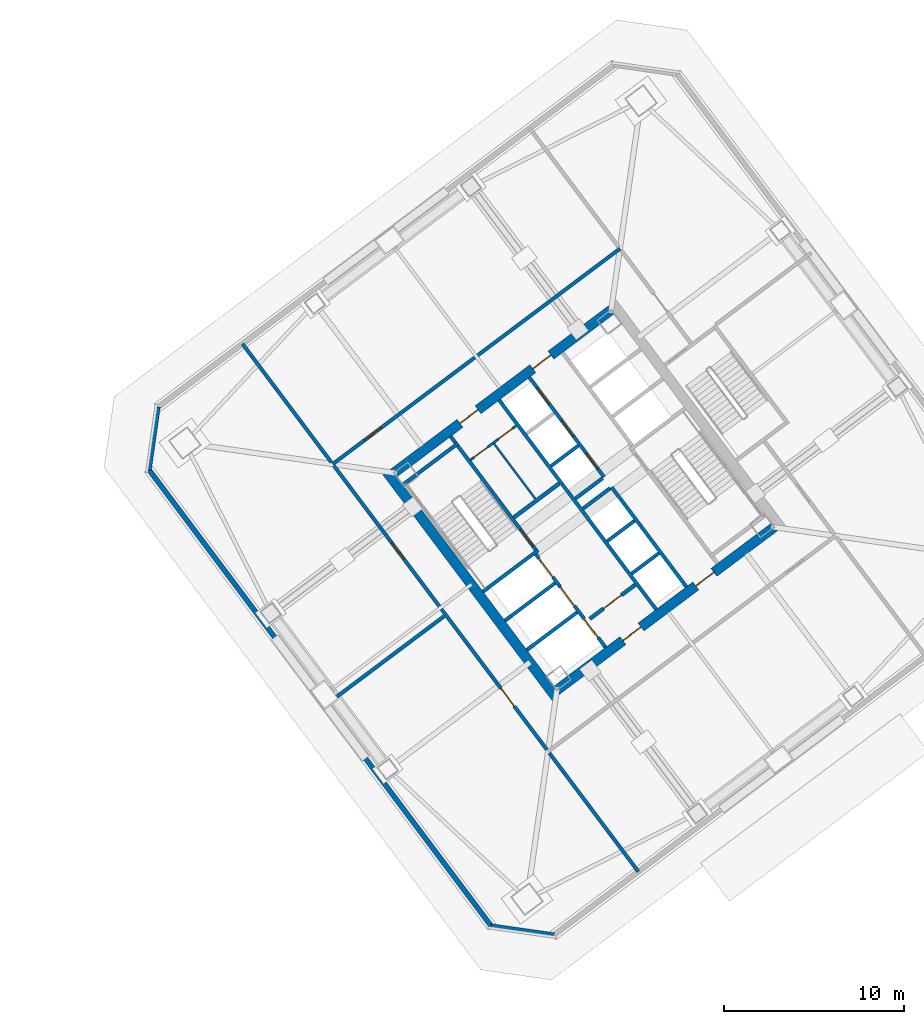
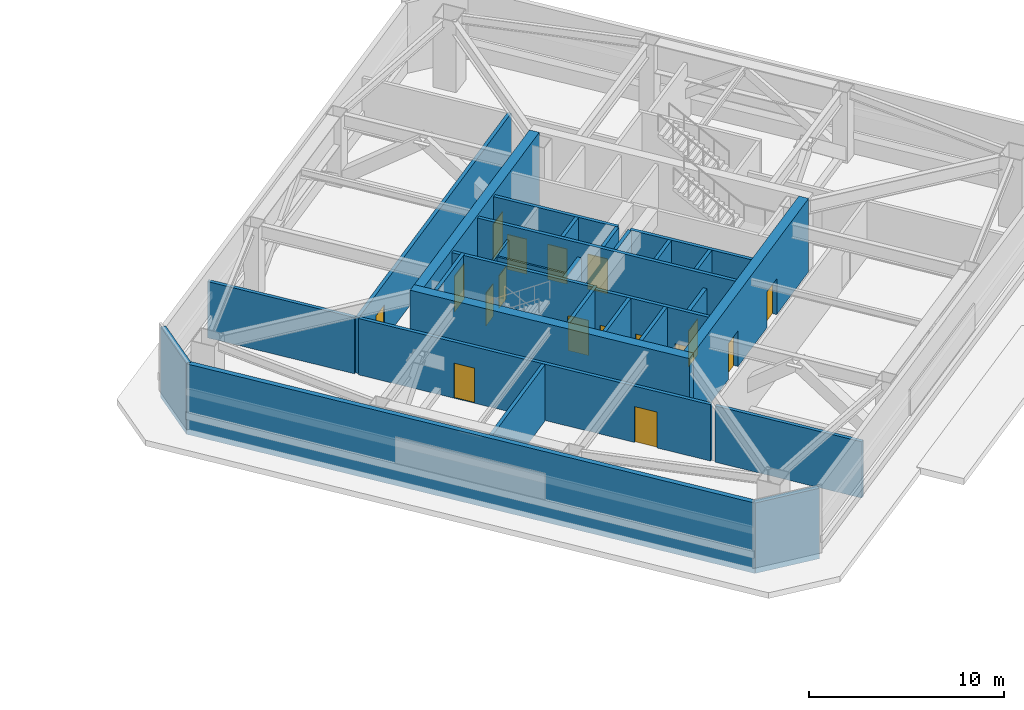
# One storey, part 7 of 15: 29 walls, 17 doors, 17 openings.
"""IFC4 building model written with IfcOpenShell, lengths in metres."""

from ifc_helpers import new_model, si_unit, direction, frame, frame_2d, origin, place, context, subcontext, project, spatial, rectangle, extrude, material, layer, layer_set, type_object, element, fill, save


model = new_model("IFC4")

# Units and contexts
model_context = context("Model", 3, precision=1e-05, world=origin(), true_north=direction((0.0, 1.0)))
body_context = subcontext(model_context, "Body", "Model", "MODEL_VIEW")
ifc_project = project(units=[si_unit("LENGTHUNIT", "METRE"), si_unit("AREAUNIT", "SQUARE_METRE"), si_unit("VOLUMEUNIT", "CUBIC_METRE"), si_unit("PLANEANGLEUNIT", "RADIAN"), si_unit("MASSUNIT", "GRAM", prefix="KILO")], contexts=[model_context])

# Site, building, storey
site_placement = place(None, origin())
site = spatial("IfcSite", under=ifc_project, at=site_placement, CompositionType="ELEMENT")
building_placement = place(site_placement, origin())
building = spatial("IfcBuilding", under=site, at=building_placement, Name="Tashvorn Skyway Center", CompositionType="ELEMENT")
storey_placement = place(building_placement, frame((0.0, 0.0, 109.800048828125)))
storey = spatial("IfcBuildingStorey", under=building, at=storey_placement, Name="L29", CompositionType="ELEMENT", Elevation=109.800048828125)

# Wall
ifc_material_1 = material(Name="Concrete C60/75", Category="concrete")
ifc_layer_1 = layer(ifc_material_1, 0.550048828125)
ifc_layer_set_1 = layer_set([ifc_layer_1], Name="Concrete C60/75")
wall_type_1 = type_object("IfcWallType", Name="WALL-CORE-550", PredefinedType="SHEAR", material=ifc_layer_set_1)
wall_1_placement = place(storey_placement, frame((112.43603515625, 21.076904296875, 0.0), z_axis=(0.0, 0.0, 1.0), x_axis=(-0.600005007985, 0.799996243986, 0.0)))
element("IfcWall", 1, at=wall_1_placement, inside=storey, type_object=wall_type_1, Name="Tower 2 L29 West Core Shear Wall", PredefinedType="SHEAR", context=body_context, shape_type="SweptSolid", body=[
    extrude(rectangle(XDim=15.60009765625, YDim=0.550048828125, at=frame_2d((7.800048828125, 0.0))), origin(), (0.0, 0.0, 1.0), 4.599853515625),
])

# Wall, openings, doors
wall_2_placement = place(storey_placement, frame((124.5390625, 30.498046875, 0.0), z_axis=(0.0, 0.0, 1.0), x_axis=(-0.799998054672, -0.600002593761, 0.0)))
wall_2 = element("IfcWall", 2, at=wall_2_placement, inside=storey, type_object=wall_type_1, Name="Tower 2 L29 South Core Shear Wall", PredefinedType="SHEAR", context=body_context, shape_type="SweptSolid", body=[
    extrude(rectangle(XDim=15.06005859375, YDim=0.550048828125, at=frame_2d((7.530029296875, 0.0))), origin(), (0.0, 0.0, 1.0), 4.599853515625),
])
opening_1_placement = place(wall_2_placement, frame((9.22998046875, 0.0, 0.0)))
opening_1 = element("IfcOpeningElement", 3, at=opening_1_placement, cuts=wall_2, Name="Opening D-FFL-1250", PredefinedType="OPENING", context=body_context, shape_type="SweptSolid", body=[
    extrude(rectangle(XDim=1.25, YDim=2.25, at=frame_2d((0.625, 1.125))), frame((0.0, 0.284912109375, 0.0), z_axis=(0.0, -1.0, 0.0), x_axis=(1.0, 0.0, 0.0)), (0.0, 0.0, 1.0), 0.570068359375),
])
opening_2_placement = place(wall_2_placement, frame((4.179931640625, 0.0, 0.0)))
opening_2 = element("IfcOpeningElement", 4, at=opening_2_placement, cuts=wall_2, Name="Opening D-FFL-1250", PredefinedType="OPENING", context=body_context, shape_type="SweptSolid", body=[
    extrude(rectangle(XDim=1.25, YDim=2.25, at=frame_2d((0.625, 1.125))), frame((0.0, 0.284912109375, 0.0), z_axis=(0.0, -1.0, 0.0), x_axis=(1.0, 0.0, 0.0)), (0.0, 0.0, 1.0), 0.570068359375),
])
ifc_material_2 = material(Name="Hollow galvanized steel fire door assembly", Category="steel")
door_type_1 = type_object("IfcDoorType", Name="DOOR-FFL-1250", OperationType="NOTDEFINED", PredefinedType="DOOR", material=ifc_material_2)
door_1_placement = place(opening_1_placement, origin())
door_1 = element("IfcDoor", 5, at=door_1_placement, inside=storey, type_object=door_type_1, Name="Tower 2 L29 Core South Firefighting Exit Door", OperationType="SINGLE_SWING_LEFT", OverallHeight=2.25, OverallWidth=1.25, PredefinedType="DOOR", context=body_context, shape_type="SweptSolid", body=[
    extrude(rectangle(XDim=1.25, YDim=2.25, at=frame_2d((0.625, 1.125))), frame((0.0, 0.02490234375, 0.0), z_axis=(0.0, -1.0, 0.0), x_axis=(1.0, 0.0, 0.0)), (0.0, 0.0, 1.0), 0.050048828125),
])
fill(opening_1, door_1)
door_2_placement = place(opening_2_placement, origin())
door_2 = element("IfcDoor", 6, at=door_2_placement, inside=storey, type_object=door_type_1, Name="Tower 2 L29 Core South Lift Lobby Door", OperationType="SINGLE_SWING_RIGHT", OverallHeight=2.25, OverallWidth=1.25, PredefinedType="DOOR", context=body_context, shape_type="SweptSolid", body=[
    extrude(rectangle(XDim=1.25, YDim=2.25, at=frame_2d((0.625, 1.125))), frame((0.0, 0.02490234375, 0.0), z_axis=(0.0, -1.0, 0.0), x_axis=(1.0, 0.0, 0.0)), (0.0, 0.0, 1.0), 0.050048828125),
])
fill(opening_2, door_2)

wall_3_placement = place(storey_placement, frame((103.4609375, 33.501953125, 0.0), z_axis=(0.0, 0.0, 1.0), x_axis=(0.799998054672, 0.600002593761, 0.0)))
wall_3 = element("IfcWall", 7, at=wall_3_placement, inside=storey, type_object=wall_type_1, Name="Tower 2 L29 North Core Shear Wall", PredefinedType="SHEAR", context=body_context, shape_type="SweptSolid", body=[
    extrude(rectangle(XDim=15.06005859375, YDim=0.550048828125, at=frame_2d((7.530029296875, 0.0))), origin(), (0.0, 0.0, 1.0), 4.599853515625),
])
opening_3_placement = place(wall_3_placement, frame((4.580078125, 0.0, 0.0)))
opening_3 = element("IfcOpeningElement", 8, at=opening_3_placement, cuts=wall_3, Name="Opening D-FFL-1250", PredefinedType="OPENING", context=body_context, shape_type="SweptSolid", body=[
    extrude(rectangle(XDim=1.25, YDim=2.25, at=frame_2d((0.625, 1.125))), frame((0.0, 0.284912109375, 0.0), z_axis=(0.0, -1.0, 0.0), x_axis=(1.0, 0.0, 0.0)), (0.0, 0.0, 1.0), 0.570068359375),
])
opening_4_placement = place(wall_3_placement, frame((9.6298828125, 0.0, 0.0)))
opening_4 = element("IfcOpeningElement", 9, at=opening_4_placement, cuts=wall_3, Name="Opening D-FFL-1250", PredefinedType="OPENING", context=body_context, shape_type="SweptSolid", body=[
    extrude(rectangle(XDim=1.25, YDim=2.25, at=frame_2d((0.625, 1.125))), frame((0.0, 0.284912109375, 0.0), z_axis=(0.0, -1.0, 0.0), x_axis=(1.0, 0.0, 0.0)), (0.0, 0.0, 1.0), 0.570068359375),
])
door_3_placement = place(opening_3_placement, origin())
door_3 = element("IfcDoor", 10, at=door_3_placement, inside=storey, type_object=door_type_1, Name="Tower 2 L29 Core North Service Lobby Door", OperationType="SINGLE_SWING_LEFT", OverallHeight=2.25, OverallWidth=1.25, PredefinedType="DOOR", context=body_context, shape_type="SweptSolid", body=[
    extrude(rectangle(XDim=1.25, YDim=2.25, at=frame_2d((0.625, 1.125))), frame((0.0, 0.02490234375, 0.0), z_axis=(0.0, -1.0, 0.0), x_axis=(1.0, 0.0, 0.0)), (0.0, 0.0, 1.0), 0.050048828125),
])
fill(opening_3, door_3)
door_4_placement = place(opening_4_placement, origin())
door_4 = element("IfcDoor", 11, at=door_4_placement, inside=storey, type_object=door_type_1, Name="Tower 2 L29 Core North Lift Lobby Door", OperationType="SINGLE_SWING_RIGHT", OverallHeight=2.25, OverallWidth=1.25, PredefinedType="DOOR", context=body_context, shape_type="SweptSolid", body=[
    extrude(rectangle(XDim=1.25, YDim=2.25, at=frame_2d((0.625, 1.125))), frame((0.0, 0.02490234375, 0.0), z_axis=(0.0, -1.0, 0.0), x_axis=(1.0, 0.0, 0.0)), (0.0, 0.0, 1.0), 0.050048828125),
])
fill(opening_4, door_4)

# Walls
ifc_material_3 = material(Name="Precast concrete C40/50", Category="concrete")
ifc_layer_2 = layer(ifc_material_3, 0.280029296875)
ifc_layer_set_2 = layer_set([ifc_layer_2], Name="Precast concrete C40/50")
wall_type_2 = type_object("IfcWallType", Name="WALL-EXT-280", PredefinedType="SOLIDWALL", material=ifc_layer_set_2)
wall_4_placement = place(storey_placement, frame((108.904052734375, 8.327880859375, 0.0), z_axis=(0.0, 0.0, 1.0), x_axis=(-0.6, 0.8, 0.0)))
element("IfcWall", 12, at=wall_4_placement, inside=storey, type_object=wall_type_2, Name="Tower 2 L29 West Mechanical Belt Wall", PredefinedType="SOLIDWALL", context=body_context, shape_type="SweptSolid", body=[
    extrude(rectangle(XDim=31.76025390625, YDim=0.280029296875, at=frame_2d((15.880126953125, 0.0))), origin(), (0.0, 0.0, 1.0), 4.419921875),
])
for number, where, z_axis, x_axis, name in (
    (13, (112.340087890625, 7.8798828125, 0.0), (0.0, 0.0, 1.0), (-0.989949493661, 0.141421356237, 0.0), "Tower 2 L29 SW Precast Chamfer Wall"),
    (14, (89.8798828125, 33.659912109375, 0.0), (0.0, 0.0, 1.0), (0.141421356237, 0.989949493661, 0.0), "Tower 2 L29 NW Precast Chamfer Wall"),
):
    element("IfcWall", number, at=place(storey_placement, frame(where, z_axis=z_axis, x_axis=x_axis)), inside=storey, type_object=wall_type_2, Name=name, PredefinedType="SOLIDWALL", context=body_context, shape_type="SweptSolid", body=[
        extrude(rectangle(XDim=3.53564453125, YDim=0.280029296875, at=frame_2d((1.767822265625, 0.0))), origin(), (0.0, 0.0, 1.0), 4.419921875),
    ])
ifc_material_4 = material(Name="Concrete C40/50", Category="concrete")
ifc_layer_3 = layer(ifc_material_4, 0.219970703125)
ifc_layer_set_3 = layer_set([ifc_layer_3], Name="Concrete C40/50")
wall_type_3 = type_object("IfcWallType", Name="WALL-FFL-220", PredefinedType="SOLIDWALL", material=ifc_layer_set_3)
wall_5_placement = place(storey_placement, frame((110.10400390625, 31.028076171875, 0.0), z_axis=(0.0, 0.0, 1.0), x_axis=(0.800018601094, 0.59997519774, 0.0)))
element("IfcWall", 15, at=wall_5_placement, inside=storey, type_object=wall_type_3, Name="Tower 2 L29 Firefighting Lobby North Wall", PredefinedType="SOLIDWALL", context=body_context, shape_type="SweptSolid", body=[
    extrude(rectangle(XDim=3.14990234375, YDim=0.219970703125, at=frame_2d((1.574951171875, 0.0))), origin(), (0.0, 0.0, 1.0), 3.531005859375),
])

# Wall, opening, door
wall_6_placement = place(storey_placement, frame((114.31591796875, 25.412109375, 0.0), z_axis=(0.0, 0.0, 1.0), x_axis=(0.800018601094, 0.59997519774, 0.0)))
wall_6 = element("IfcWall", 16, at=wall_6_placement, inside=storey, type_object=wall_type_3, Name="Tower 2 L29 Firefighting Lobby South Wall", PredefinedType="SOLIDWALL", context=body_context, shape_type="SweptSolid", body=[
    extrude(rectangle(XDim=3.14990234375, YDim=0.219970703125, at=frame_2d((1.574951171875, 0.0))), origin(), (0.0, 0.0, 1.0), 3.531005859375),
])
opening_5_placement = place(wall_6_placement, frame((0.949951171875, 0.0, 0.0)))
opening_5 = element("IfcOpeningElement", 17, at=opening_5_placement, cuts=wall_6, Name="Opening D-FFL-1250", PredefinedType="OPENING", context=body_context, shape_type="SweptSolid", body=[
    extrude(rectangle(XDim=1.25, YDim=2.25, at=frame_2d((0.625, 1.125))), frame((0.0, 0.119873046875, 0.0), z_axis=(0.0, -1.0, 0.0), x_axis=(1.0, 0.0, 0.0)), (0.0, 0.0, 1.0), 0.239990234375),
])
door_5_placement = place(opening_5_placement, origin())
door_5 = element("IfcDoor", 18, at=door_5_placement, inside=storey, type_object=door_type_1, Name="Tower 2 L29 Firefighting Lobby Egress Door", OperationType="SINGLE_SWING_LEFT", OverallHeight=2.25, OverallWidth=1.25, PredefinedType="DOOR", context=body_context, shape_type="SweptSolid", body=[
    extrude(rectangle(XDim=1.25, YDim=2.25, at=frame_2d((0.625, 1.125))), frame((0.0, 0.02490234375, 0.0), z_axis=(0.0, -1.0, 0.0), x_axis=(1.0, 0.0, 0.0)), (0.0, 0.0, 1.0), 0.050048828125),
])
fill(opening_5, door_5)

# Wall
ifc_material_5 = material(Name="Gypsum board on cold-formed steel stud framing", Category="steel")
ifc_layer_4 = layer(ifc_material_5, 0.110107421875)
ifc_layer_set_4 = layer_set([ifc_layer_4], Name="Gypsum board on cold-formed steel stud framing")
wall_type_4 = type_object("IfcWallType", Name="WALL-RATED-110", PredefinedType="PARTITIONING", material=ifc_layer_set_4)
wall_7_placement = place(storey_placement, frame((111.2958984375, 32.072021484375, 0.0), z_axis=(0.0, 0.0, 1.0), x_axis=(-0.59995887973, 0.800030838552, 0.0)))
element("IfcWall", 19, at=wall_7_placement, inside=storey, type_object=wall_type_4, Name="Tower 2 L29 Core Split Partition", PredefinedType="PARTITIONING", context=body_context, shape_type="SweptSolid", body=[
    extrude(rectangle(XDim=3.7998046875, YDim=0.110107421875, at=frame_2d((1.89990234375, 0.0))), origin(), (0.0, 0.0, 1.0), 3.531005859375),
])

# Wall, openings, doors
ifc_layer_5 = layer(ifc_material_5, 0.135009765625)
ifc_layer_set_5 = layer_set([ifc_layer_5], Name="Gypsum board on cold-formed steel stud framing")
wall_type_5 = type_object("IfcWallType", Name="WALL-RATED-135", PredefinedType="PARTITIONING", material=ifc_layer_set_5)
wall_8_placement = place(storey_placement, frame((107.7099609375, 34.219970703125, 0.0), z_axis=(0.0, 0.0, 1.0), x_axis=(0.799981399002, 0.60002480053, 0.0)))
wall_8 = element("IfcWall", 20, at=wall_8_placement, inside=storey, type_object=wall_type_5, Name="Tower 2 L29 Core Service Lobby Wall", PredefinedType="PARTITIONING", context=body_context, shape_type="SweptSolid", body=[
    extrude(rectangle(XDim=3.150146484375, YDim=0.135009765625, at=frame_2d((1.5751953125, 0.0))), origin(), (0.0, 0.0, 1.0), 3.531005859375),
])
opening_6_placement = place(wall_8_placement, frame((0.25, 0.0, 0.0)))
opening_6 = element("IfcOpeningElement", 21, at=opening_6_placement, cuts=wall_8, Name="Opening D-RT-950", PredefinedType="OPENING", context=body_context, shape_type="SweptSolid", body=[
    extrude(rectangle(XDim=0.949951171875, YDim=2.050048828125, at=frame_2d((0.47509765625, 1.02490234375))), frame((0.0, 0.077392578125, 0.0), z_axis=(0.0, -1.0, 0.0), x_axis=(1.0, 0.0, 0.0)), (0.0, 0.0, 1.0), 0.155029296875),
])
opening_7_placement = place(wall_8_placement, frame((1.949951171875, 0.0, 0.0)))
opening_7 = element("IfcOpeningElement", 22, at=opening_7_placement, cuts=wall_8, Name="Opening D-RT-950", PredefinedType="OPENING", context=body_context, shape_type="SweptSolid", body=[
    extrude(rectangle(XDim=0.949951171875, YDim=2.050048828125, at=frame_2d((0.47509765625, 1.02490234375))), frame((0.0, 0.077392578125, 0.0), z_axis=(0.0, -1.0, 0.0), x_axis=(1.0, 0.0, 0.0)), (0.0, 0.0, 1.0), 0.155029296875),
])
door_type_2 = type_object("IfcDoorType", Name="DOOR-RATED-950", OperationType="NOTDEFINED", PredefinedType="DOOR", material=ifc_material_2)
door_6_placement = place(opening_6_placement, origin())
door_6 = element("IfcDoor", 23, at=door_6_placement, inside=storey, type_object=door_type_2, Name="Tower 2 L29 Core Accessible WC Door", OperationType="SINGLE_SWING_LEFT", OverallHeight=2.050048828125, OverallWidth=0.949951171875, PredefinedType="DOOR", context=body_context, shape_type="SweptSolid", body=[
    extrude(rectangle(XDim=0.949951171875, YDim=2.050048828125, at=frame_2d((0.47509765625, 1.02490234375))), frame((0.0, 0.02490234375, 0.0), z_axis=(0.0, -1.0, 0.0), x_axis=(1.0, 0.0, 0.0)), (0.0, 0.0, 1.0), 0.050048828125),
])
fill(opening_6, door_6)
door_7_placement = place(opening_7_placement, origin())
door_7 = element("IfcDoor", 24, at=door_7_placement, inside=storey, type_object=door_type_2, Name="Tower 2 L29 Core Cleaner Store Door", OperationType="SINGLE_SWING_RIGHT", OverallHeight=2.050048828125, OverallWidth=0.949951171875, PredefinedType="DOOR", context=body_context, shape_type="SweptSolid", body=[
    extrude(rectangle(XDim=0.949951171875, YDim=2.050048828125, at=frame_2d((0.47509765625, 1.02490234375))), frame((0.0, 0.02490234375, 0.0), z_axis=(0.0, -1.0, 0.0), x_axis=(1.0, 0.0, 0.0)), (0.0, 0.0, 1.0), 0.050048828125),
])
fill(opening_7, door_7)

# Walls
ifc_layer_6 = layer(ifc_material_4, 0.199951171875)
ifc_layer_set_6 = layer_set([ifc_layer_6], Name="Concrete C40/50")
wall_type_6 = type_object("IfcWallType", Name="WALL-SHAFT-200", PredefinedType="SOLIDWALL", material=ifc_layer_set_6)
for number, where, z_axis, x_axis, name in (
    (25, (110.825927734375, 23.681884765625, 0.0), (0.0, 0.0, 1.0), (0.8, 0.6, 0.0), "Tower 2 L29 FSAE Shaft Divider"),
    (26, (109.60791015625, 25.305908203125, 0.0), (0.0, 0.0, 1.0), (0.8, 0.6, 0.0), "Tower 2 L29 FSAE Shaft Divider"),
):
    element("IfcWall", number, at=place(storey_placement, frame(where, z_axis=z_axis, x_axis=x_axis)), inside=storey, type_object=wall_type_6, Name=name, PredefinedType="SOLIDWALL", context=body_context, shape_type="SweptSolid", body=[
        extrude(rectangle(XDim=3.480224609375, YDim=0.199951171875, at=frame_2d((1.740234375, 0.0))), origin(), (0.0, 0.0, 1.0), 4.419921875),
    ])
wall_9_placement = place(storey_placement, frame((119.669921875, 27.18994140625, 0.0), z_axis=(0.0, 0.0, 1.0), x_axis=(-0.599988677396, 0.800008491828, 0.0)))
element("IfcWall", 27, at=wall_9_placement, inside=storey, type_object=wall_type_6, Name="Tower 2 L29 Low-Rise Core Wall", PredefinedType="SOLIDWALL", context=body_context, shape_type="SweptSolid", body=[
    extrude(rectangle(XDim=6.89990234375, YDim=0.199951171875, at=frame_2d((3.449951171875, 0.0))), origin(), (0.0, 0.0, 1.0), 4.419921875),
])
wall_10_placement = place(storey_placement, frame((116.64599609375, 27.922119140625, 0.0), z_axis=(0.0, 0.0, 1.0), x_axis=(0.8, 0.6, 0.0)))
element("IfcWall", 28, at=wall_10_placement, inside=storey, type_object=wall_type_6, Name="Tower 2 L29 Low-Rise Shaft Divider", PredefinedType="SOLIDWALL", context=body_context, shape_type="SweptSolid", body=[
    extrude(rectangle(XDim=1.8798828125, YDim=0.199951171875, at=frame_2d((0.93994140625, 0.0))), origin(), (0.0, 0.0, 1.0), 4.419921875),
])
wall_11_placement = place(storey_placement, frame((115.2958984375, 29.721923828125, 0.0), z_axis=(0.0, 0.0, 1.0), x_axis=(0.799984418148, 0.600020775241, 0.0)))
element("IfcWall", 29, at=wall_11_placement, inside=storey, type_object=wall_type_6, Name="Tower 2 L29 Low-Rise Shaft Divider", PredefinedType="SOLIDWALL", context=body_context, shape_type="SweptSolid", body=[
    extrude(rectangle(XDim=1.880126953125, YDim=0.199951171875, at=frame_2d((0.93994140625, 0.0))), origin(), (0.0, 0.0, 1.0), 4.419921875),
])
wall_12_placement = place(storey_placement, frame((113.946044921875, 31.52197265625, 0.0), z_axis=(0.0, 0.0, 1.0), x_axis=(0.8, 0.6, 0.0)))
element("IfcWall", 30, at=wall_12_placement, inside=storey, type_object=wall_type_6, Name="Tower 2 L29 Low-Rise Shaft Divider", PredefinedType="SOLIDWALL", context=body_context, shape_type="SweptSolid", body=[
    extrude(rectangle(XDim=1.8798828125, YDim=0.199951171875, at=frame_2d((0.93994140625, 0.0))), origin(), (0.0, 0.0, 1.0), 4.419921875),
])

# Wall, openings, doors
wall_13_placement = place(storey_placement, frame((115.110107421875, 33.27001953125, 0.0), z_axis=(0.0, 0.0, 1.0), x_axis=(-0.600011322243, 0.799991508192, 0.0)))
wall_13 = element("IfcWall", 31, at=wall_13_placement, inside=storey, type_object=wall_type_6, Name="Tower 2 L29 Mid-Rise Core Wall", PredefinedType="SOLIDWALL", context=body_context, shape_type="SweptSolid", body=[
    extrude(rectangle(XDim=6.900146484375, YDim=0.199951171875, at=frame_2d((3.4501953125, 0.0))), origin(), (0.0, 0.0, 1.0), 4.419921875),
])
opening_8_placement = place(wall_13_placement, frame((0.574951171875, 0.0, 0.0)))
opening_8 = element("IfcOpeningElement", 32, at=opening_8_placement, cuts=wall_13, Name="Opening LD-MR-T2-1-L29", PredefinedType="OPENING", context=body_context, shape_type="SweptSolid", body=[
    extrude(rectangle(XDim=1.10009765625, YDim=2.199951171875, at=frame_2d((0.550048828125, 1.10009765625))), frame((0.0, 0.10986328125, 0.0), z_axis=(0.0, -1.0, 0.0), x_axis=(1.0, 0.0, 0.0)), (0.0, 0.0, 1.0), 0.219970703125),
])
opening_9_placement = place(wall_13_placement, frame((2.824951171875, 0.0, 0.0)))
opening_9 = element("IfcOpeningElement", 33, at=opening_9_placement, cuts=wall_13, Name="Opening LD-MR-T2-2-L29", PredefinedType="OPENING", context=body_context, shape_type="SweptSolid", body=[
    extrude(rectangle(XDim=1.10009765625, YDim=2.199951171875, at=frame_2d((0.550048828125, 1.10009765625))), frame((0.0, 0.10986328125, 0.0), z_axis=(0.0, -1.0, 0.0), x_axis=(1.0, 0.0, 0.0)), (0.0, 0.0, 1.0), 0.219970703125),
])
opening_10_placement = place(wall_13_placement, frame((5.074951171875, 0.0, 0.0)))
opening_10 = element("IfcOpeningElement", 34, at=opening_10_placement, cuts=wall_13, Name="Opening LD-MR-T2-3-L29", PredefinedType="OPENING", context=body_context, shape_type="SweptSolid", body=[
    extrude(rectangle(XDim=1.10009765625, YDim=2.199951171875, at=frame_2d((0.550048828125, 1.10009765625))), frame((0.0, 0.10986328125, 0.0), z_axis=(0.0, -1.0, 0.0), x_axis=(1.0, 0.0, 0.0)), (0.0, 0.0, 1.0), 0.219970703125),
])
ifc_material_6 = material(Name="Stainless steel landing door", Category="steel")
door_type_3 = type_object("IfcDoorType", Name="DOOR-LIFT-1100", OperationType="SLIDING_TO_LEFT", PredefinedType="DOOR", material=ifc_material_6)
door_8_placement = place(opening_8_placement, origin())
door_8 = element("IfcDoor", 35, at=door_8_placement, inside=storey, type_object=door_type_3, Name="Lift MR-T2-1 L29 Landing Door", OperationType="SLIDING_TO_LEFT", OverallHeight=2.199951171875, OverallWidth=1.10009765625, PredefinedType="DOOR", context=body_context, shape_type="SweptSolid", body=[
    extrude(rectangle(XDim=1.10009765625, YDim=2.199951171875, at=frame_2d((0.550048828125, 1.10009765625))), frame((0.0, 0.02490234375, 0.0), z_axis=(0.0, -1.0, 0.0), x_axis=(1.0, 0.0, 0.0)), (0.0, 0.0, 1.0), 0.050048828125),
])
fill(opening_8, door_8)
door_9_placement = place(opening_9_placement, origin())
door_9 = element("IfcDoor", 36, at=door_9_placement, inside=storey, type_object=door_type_3, Name="Lift MR-T2-2 L29 Landing Door", OperationType="SLIDING_TO_LEFT", OverallHeight=2.199951171875, OverallWidth=1.10009765625, PredefinedType="DOOR", context=body_context, shape_type="SweptSolid", body=[
    extrude(rectangle(XDim=1.10009765625, YDim=2.199951171875, at=frame_2d((0.550048828125, 1.10009765625))), frame((0.0, 0.02490234375, 0.0), z_axis=(0.0, -1.0, 0.0), x_axis=(1.0, 0.0, 0.0)), (0.0, 0.0, 1.0), 0.050048828125),
])
fill(opening_9, door_9)
door_10_placement = place(opening_10_placement, origin())
door_10 = element("IfcDoor", 37, at=door_10_placement, inside=storey, type_object=door_type_3, Name="Lift MR-T2-3 L29 Landing Door", OperationType="SLIDING_TO_LEFT", OverallHeight=2.199951171875, OverallWidth=1.10009765625, PredefinedType="DOOR", context=body_context, shape_type="SweptSolid", body=[
    extrude(rectangle(XDim=1.10009765625, YDim=2.199951171875, at=frame_2d((0.550048828125, 1.10009765625))), frame((0.0, 0.02490234375, 0.0), z_axis=(0.0, -1.0, 0.0), x_axis=(1.0, 0.0, 0.0)), (0.0, 0.0, 1.0), 0.050048828125),
])
fill(opening_10, door_10)

# Walls
wall_14_placement = place(storey_placement, frame((113.52587890625, 32.08203125, 0.0), z_axis=(0.0, 0.0, 1.0), x_axis=(0.800046745961, 0.599937666993, 0.0)))
element("IfcWall", 38, at=wall_14_placement, inside=storey, type_object=wall_type_6, Name="Tower 2 L29 Mid-Rise Shaft Divider", PredefinedType="SOLIDWALL", context=body_context, shape_type="SweptSolid", body=[
    extrude(rectangle(XDim=1.880126953125, YDim=0.199951171875, at=frame_2d((0.93994140625, 0.0))), origin(), (0.0, 0.0, 1.0), 4.419921875),
])
wall_15_placement = place(storey_placement, frame((112.176025390625, 33.882080078125, 0.0), z_axis=(0.0, 0.0, 1.0), x_axis=(0.8, 0.6, 0.0)))
element("IfcWall", 39, at=wall_15_placement, inside=storey, type_object=wall_type_6, Name="Tower 2 L29 Mid-Rise Shaft Divider", PredefinedType="SOLIDWALL", context=body_context, shape_type="SweptSolid", body=[
    extrude(rectangle(XDim=1.8798828125, YDim=0.199951171875, at=frame_2d((0.93994140625, 0.0))), origin(), (0.0, 0.0, 1.0), 4.419921875),
])

# Wall, opening, door
wall_16_placement = place(storey_placement, frame((100.070068359375, 33.989990234375, 0.0), z_axis=(0.0, 0.0, 1.0), x_axis=(0.8, 0.6, 0.0)))
wall_16 = element("IfcWall", 40, at=wall_16_placement, inside=storey, type_object=wall_type_6, Name="Tower 2 L29 Plant Corridor North Wall", PredefinedType="SOLIDWALL", context=body_context, shape_type="SweptSolid", body=[
    extrude(rectangle(XDim=19.89990234375, YDim=0.199951171875, at=frame_2d((9.949951171875, 0.0))), origin(), (0.0, 0.0, 1.0), 3.531005859375),
])
opening_11_placement = place(wall_16_placement, frame((2.199951171875, 0.0, 0.0)))
opening_11 = element("IfcOpeningElement", 41, at=opening_11_placement, cuts=wall_16, Name="Opening D-ST-1150", PredefinedType="OPENING", context=body_context, shape_type="SweptSolid", body=[
    extrude(rectangle(XDim=1.14990234375, YDim=2.199951171875, at=frame_2d((0.574951171875, 1.10009765625))), frame((0.0, 0.10986328125, 0.0), z_axis=(0.0, -1.0, 0.0), x_axis=(1.0, 0.0, 0.0)), (0.0, 0.0, 1.0), 0.219970703125),
])
door_type_4 = type_object("IfcDoorType", Name="DOOR-STAIR-1150", OperationType="NOTDEFINED", PredefinedType="DOOR", material=ifc_material_2)
door_11_placement = place(opening_11_placement, origin())
door_11 = element("IfcDoor", 42, at=door_11_placement, inside=storey, type_object=door_type_4, Name="Tower 2 L29 Chiller Plant Door", OperationType="SINGLE_SWING_LEFT", OverallHeight=2.199951171875, OverallWidth=1.14990234375, PredefinedType="DOOR", context=body_context, shape_type="SweptSolid", body=[
    extrude(rectangle(XDim=1.14990234375, YDim=2.199951171875, at=frame_2d((0.574951171875, 1.10009765625))), frame((0.0, 0.02490234375, 0.0), z_axis=(0.0, -1.0, 0.0), x_axis=(1.0, 0.0, 0.0)), (0.0, 0.0, 1.0), 0.050048828125),
])
fill(opening_11, door_11)

# Wall, openings, doors
wall_17_placement = place(storey_placement, frame((111.93798828125, 18.166015625, 0.0), z_axis=(0.0, 0.0, 1.0), x_axis=(-0.59999602618, 0.80000298035, 0.0)))
wall_17 = element("IfcWall", 43, at=wall_17_placement, inside=storey, type_object=wall_type_6, Name="Tower 2 L29 Plant Corridor West Wall", PredefinedType="SOLIDWALL", context=body_context, shape_type="SweptSolid", body=[
    extrude(rectangle(XDim=19.659912109375, YDim=0.199951171875, at=frame_2d((9.830078125, 0.0))), origin(), (0.0, 0.0, 1.0), 3.531005859375),
])
opening_12_placement = place(wall_17_placement, frame((3.0, 0.0, 0.0)))
opening_12 = element("IfcOpeningElement", 44, at=opening_12_placement, cuts=wall_17, Name="Opening D-FFL-1250", PredefinedType="OPENING", context=body_context, shape_type="SweptSolid", body=[
    extrude(rectangle(XDim=1.25, YDim=2.25, at=frame_2d((0.625, 1.125))), frame((0.0, 0.10986328125, 0.0), z_axis=(0.0, -1.0, 0.0), x_axis=(1.0, 0.0, 0.0)), (0.0, 0.0, 1.0), 0.219970703125),
])
opening_13_placement = place(wall_17_placement, frame((13.199951171875, 0.0, 0.0)))
opening_13 = element("IfcOpeningElement", 45, at=opening_13_placement, cuts=wall_17, Name="Opening D-ST-1150", PredefinedType="OPENING", context=body_context, shape_type="SweptSolid", body=[
    extrude(rectangle(XDim=1.14990234375, YDim=2.199951171875, at=frame_2d((0.574951171875, 1.10009765625))), frame((0.0, 0.10986328125, 0.0), z_axis=(0.0, -1.0, 0.0), x_axis=(1.0, 0.0, 0.0)), (0.0, 0.0, 1.0), 0.219970703125),
])
door_12_placement = place(opening_12_placement, origin())
door_12 = element("IfcDoor", 46, at=door_12_placement, inside=storey, type_object=door_type_1, Name="Tower 2 L29 West Refuge Area Door", OperationType="SINGLE_SWING_LEFT", OverallHeight=2.25, OverallWidth=1.25, PredefinedType="DOOR", context=body_context, shape_type="SweptSolid", body=[
    extrude(rectangle(XDim=1.25, YDim=2.25, at=frame_2d((0.625, 1.125))), frame((0.0, 0.02490234375, 0.0), z_axis=(0.0, -1.0, 0.0), x_axis=(1.0, 0.0, 0.0)), (0.0, 0.0, 1.0), 0.050048828125),
])
fill(opening_12, door_12)
door_13_placement = place(opening_13_placement, origin())
door_13 = element("IfcDoor", 47, at=door_13_placement, inside=storey, type_object=door_type_4, Name="Tower 2 L29 Pump Plant Door", OperationType="SINGLE_SWING_RIGHT", OverallHeight=2.199951171875, OverallWidth=1.14990234375, PredefinedType="DOOR", context=body_context, shape_type="SweptSolid", body=[
    extrude(rectangle(XDim=1.14990234375, YDim=2.199951171875, at=frame_2d((0.574951171875, 1.10009765625))), frame((0.0, 0.02490234375, 0.0), z_axis=(0.0, -1.0, 0.0), x_axis=(1.0, 0.0, 0.0)), (0.0, 0.0, 1.0), 0.050048828125),
])
fill(opening_13, door_13)

# Walls
for number, where, z_axis, x_axis, name in (
    (48, (99.998046875, 34.0859375, 0.0), (0.0, 0.0, 1.0), (-0.599995242134, 0.800003568377, 0.0), "Tower 2 L29 Plant Radial NW"),
    (49, (112.08203125, 17.97412109375, 0.0), (0.0, 0.0, 1.0), (0.599995242134, -0.800003568377, 0.0), "Tower 2 L29 Plant Radial SW"),
):
    element("IfcWall", number, at=place(storey_placement, frame(where, z_axis=z_axis, x_axis=x_axis)), inside=storey, type_object=wall_type_6, Name=name, PredefinedType="SOLIDWALL", context=body_context, shape_type="SweptSolid", body=[
        extrude(rectangle(XDim=8.210205078125, YDim=0.199951171875, at=frame_2d((4.10498046875, 0.0))), origin(), (0.0, 0.0, 1.0), 3.531005859375),
    ])
wall_18_placement = place(storey_placement, frame((99.676025390625, 20.632080078125, 0.0), z_axis=(0.0, 0.0, 1.0), x_axis=(0.799992862991, 0.600009515894, 0.0)))
element("IfcWall", 50, at=wall_18_placement, inside=storey, type_object=wall_type_6, Name="Tower 2 L29 Refuge West Fire Wall", PredefinedType="SOLIDWALL", context=body_context, shape_type="SweptSolid", body=[
    extrude(rectangle(XDim=8.2099609375, YDim=0.199951171875, at=frame_2d((4.10498046875, 0.0))), origin(), (0.0, 0.0, 1.0), 3.531005859375),
])

# Wall, opening, door
ifc_layer_7 = layer(ifc_material_4, 0.199951171875)
ifc_layer_set_7 = layer_set([ifc_layer_7], Name="Concrete C40/50")
wall_type_7 = type_object("IfcWallType", Name="WALL-STSHF-200", PredefinedType="SHEAR", material=ifc_layer_set_7)
wall_19_placement = place(storey_placement, frame((111.43994140625, 29.080078125, 0.0), z_axis=(0.0, 0.0, 1.0), x_axis=(-0.59999029481, 0.8000072788, 0.0)))
wall_19 = element("IfcWall", 51, at=wall_19_placement, inside=storey, type_object=wall_type_7, Name="Tower 2 L29 Stair 1 Enclosure Wall", PredefinedType="SHEAR", context=body_context, shape_type="SweptSolid", body=[
    extrude(rectangle(XDim=8.0498046875, YDim=0.199951171875, at=frame_2d((4.02490234375, 0.0))), origin(), (0.0, 0.0, 1.0), 4.419921875),
])
opening_14_placement = place(wall_19_placement, frame((0.449951171875, 0.0, 0.0)))
opening_14 = element("IfcOpeningElement", 52, at=opening_14_placement, cuts=wall_19, Name="Opening D-ST-1150", PredefinedType="OPENING", context=body_context, shape_type="SweptSolid", body=[
    extrude(rectangle(XDim=1.14990234375, YDim=2.199951171875, at=frame_2d((0.574951171875, 1.10009765625))), frame((0.0, 0.10986328125, 0.0), z_axis=(0.0, -1.0, 0.0), x_axis=(1.0, 0.0, 0.0)), (0.0, 0.0, 1.0), 0.219970703125),
])
door_14_placement = place(opening_14_placement, origin())
door_14 = element("IfcDoor", 53, at=door_14_placement, inside=storey, type_object=door_type_4, Name="Tower 2 L29 Exit Stair 1 Door", OperationType="SINGLE_SWING_RIGHT", OverallHeight=2.199951171875, OverallWidth=1.14990234375, PredefinedType="DOOR", context=body_context, shape_type="SweptSolid", body=[
    extrude(rectangle(XDim=1.14990234375, YDim=2.199951171875, at=frame_2d((0.574951171875, 1.10009765625))), frame((0.0, 0.02490234375, 0.0), z_axis=(0.0, -1.0, 0.0), x_axis=(1.0, 0.0, 0.0)), (0.0, 0.0, 1.0), 0.050048828125),
])
fill(opening_14, door_14)

# Walls
for number, where, z_axis, x_axis, name in (
    (54, (108.39599609375, 26.922119140625, 0.0), (0.0, 0.0, 1.0), (0.800015298837, 0.599979601008, 0.0), "Tower 2 L29 Stair 1 South Wall"),
    (55, (103.9560546875, 32.842041015625, 0.0), (0.0, 0.0, 1.0), (0.800015298837, 0.599979601008, 0.0), "Tower 2 L29 Stair 1 North Wall"),
):
    element("IfcWall", number, at=place(storey_placement, frame(where, z_axis=z_axis, x_axis=x_axis)), inside=storey, type_object=wall_type_7, Name=name, PredefinedType="SHEAR", context=body_context, shape_type="SweptSolid", body=[
        extrude(rectangle(XDim=3.829833984375, YDim=0.199951171875, at=frame_2d((1.9150390625, 0.0))), origin(), (0.0, 0.0, 1.0), 4.419921875),
    ])
wall_20_placement = place(storey_placement, frame((117.998046875, 25.93603515625, 0.0), z_axis=(0.0, 0.0, 1.0), x_axis=(-0.600002693989, 0.799997979501, 0.0)))
element("IfcWall", 56, at=wall_20_placement, inside=storey, type_object=wall_type_7, Name="Tower 2 L29 Firefighting Lobby East Smoke Barrier", PredefinedType="SHEAR", context=body_context, shape_type="SweptSolid", body=[
    extrude(rectangle(XDim=14.499755859375, YDim=0.199951171875, at=frame_2d((7.25, 0.0))), origin(), (0.0, 0.0, 1.0), 4.419921875),
])

# Wall, openings, doors
wall_21_placement = place(storey_placement, frame((115.18994140625, 23.830078125, 0.0), z_axis=(0.0, 0.0, 1.0), x_axis=(-0.599993943644, 0.800004542231, 0.0)))
wall_21 = element("IfcWall", 57, at=wall_21_placement, inside=storey, type_object=wall_type_7, Name="Tower 2 L29 FSAE and Goods Shaft Front Wall", PredefinedType="SHEAR", context=body_context, shape_type="SweptSolid", body=[
    extrude(rectangle(XDim=6.449951171875, YDim=0.199951171875, at=frame_2d((3.22509765625, 0.0))), origin(), (0.0, 0.0, 1.0), 4.419921875),
])
opening_15_placement = place(wall_21_placement, frame((4.875, 0.0, 0.0)))
opening_15 = element("IfcOpeningElement", 58, at=opening_15_placement, cuts=wall_21, Name="Opening LD-FF-T2-1-L29", PredefinedType="OPENING", context=body_context, shape_type="SweptSolid", body=[
    extrude(rectangle(XDim=1.300048828125, YDim=2.25, at=frame_2d((0.64990234375, 1.125))), frame((0.0, 0.10986328125, 0.0), z_axis=(0.0, -1.0, 0.0), x_axis=(1.0, 0.0, 0.0)), (0.0, 0.0, 1.0), 0.219970703125),
])
opening_16_placement = place(wall_21_placement, frame((2.875, 0.0, 0.0)))
opening_16 = element("IfcOpeningElement", 59, at=opening_16_placement, cuts=wall_21, Name="Opening LD-FF-T2-2-L29", PredefinedType="OPENING", context=body_context, shape_type="SweptSolid", body=[
    extrude(rectangle(XDim=1.300048828125, YDim=2.25, at=frame_2d((0.64990234375, 1.125))), frame((0.0, 0.10986328125, 0.0), z_axis=(0.0, -1.0, 0.0), x_axis=(1.0, 0.0, 0.0)), (0.0, 0.0, 1.0), 0.219970703125),
])
opening_17_placement = place(wall_21_placement, frame((0.675048828125, 0.0, 0.0)))
opening_17 = element("IfcOpeningElement", 60, at=opening_17_placement, cuts=wall_21, Name="Opening LD-GD-T2-1-L29", PredefinedType="OPENING", context=body_context, shape_type="SweptSolid", body=[
    extrude(rectangle(XDim=1.300048828125, YDim=2.25, at=frame_2d((0.64990234375, 1.125))), frame((0.0, 0.10986328125, 0.0), z_axis=(0.0, -1.0, 0.0), x_axis=(1.0, 0.0, 0.0)), (0.0, 0.0, 1.0), 0.219970703125),
])
ifc_material_7 = material(Name="Stainless steel heavy-duty landing door", Category="steel")
door_type_5 = type_object("IfcDoorType", Name="DOOR-LIFT-1300", OperationType="SLIDING_TO_LEFT", PredefinedType="DOOR", material=ifc_material_7)
door_15_placement = place(opening_15_placement, origin())
door_15 = element("IfcDoor", 61, at=door_15_placement, inside=storey, type_object=door_type_5, Name="Lift FF-T2-1 L29 Landing Door", OperationType="SLIDING_TO_LEFT", OverallHeight=2.25, OverallWidth=1.300048828125, PredefinedType="DOOR", context=body_context, shape_type="SweptSolid", body=[
    extrude(rectangle(XDim=1.300048828125, YDim=2.25, at=frame_2d((0.64990234375, 1.125))), frame((0.0, 0.02490234375, 0.0), z_axis=(0.0, -1.0, 0.0), x_axis=(1.0, 0.0, 0.0)), (0.0, 0.0, 1.0), 0.050048828125),
])
fill(opening_15, door_15)
door_16_placement = place(opening_16_placement, origin())
door_16 = element("IfcDoor", 62, at=door_16_placement, inside=storey, type_object=door_type_5, Name="Lift FF-T2-2 L29 Landing Door", OperationType="SLIDING_TO_LEFT", OverallHeight=2.25, OverallWidth=1.300048828125, PredefinedType="DOOR", context=body_context, shape_type="SweptSolid", body=[
    extrude(rectangle(XDim=1.300048828125, YDim=2.25, at=frame_2d((0.64990234375, 1.125))), frame((0.0, 0.02490234375, 0.0), z_axis=(0.0, -1.0, 0.0), x_axis=(1.0, 0.0, 0.0)), (0.0, 0.0, 1.0), 0.050048828125),
])
fill(opening_16, door_16)
door_17_placement = place(opening_17_placement, origin())
door_17 = element("IfcDoor", 63, at=door_17_placement, inside=storey, type_object=door_type_5, Name="Lift GD-T2-1 L29 Landing Door", OperationType="SLIDING_TO_LEFT", OverallHeight=2.25, OverallWidth=1.300048828125, PredefinedType="DOOR", context=body_context, shape_type="SweptSolid", body=[
    extrude(rectangle(XDim=1.300048828125, YDim=2.25, at=frame_2d((0.64990234375, 1.125))), frame((0.0, 0.02490234375, 0.0), z_axis=(0.0, -1.0, 0.0), x_axis=(1.0, 0.0, 0.0)), (0.0, 0.0, 1.0), 0.050048828125),
])
fill(opening_17, door_17)

save(model, "model.ifc")
